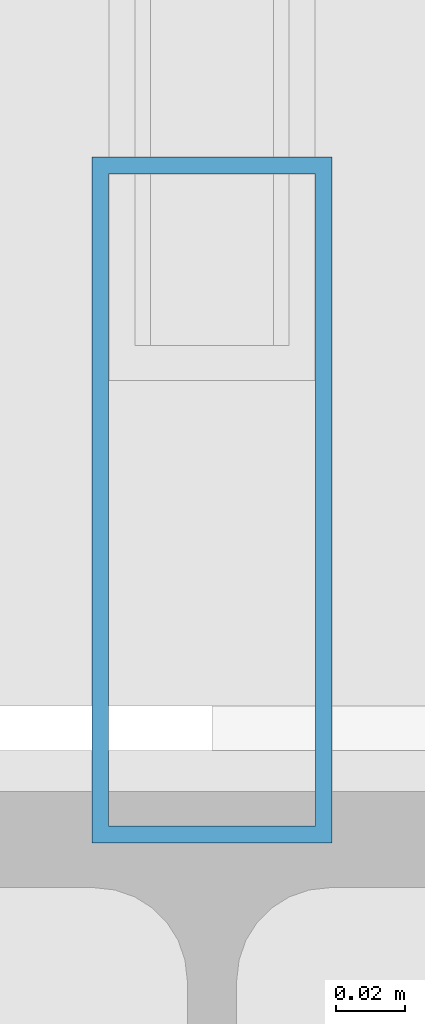
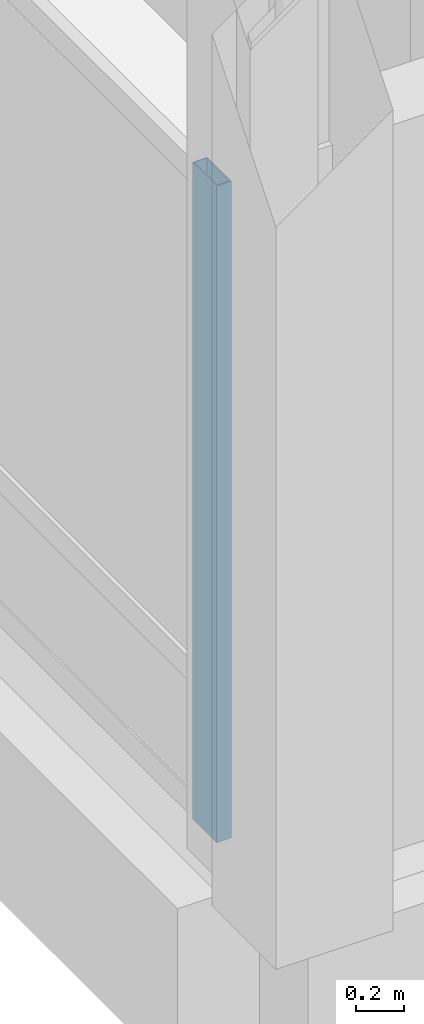
# One storey, part 49 of 193: 1 member, 1 element without a shape of its own.
"""IFC4 building model written with IfcOpenShell, lengths in metres."""

from ifc_helpers import new_model, si_unit, direction, frame, origin, origin_2d, place, context, subcontext, project, spatial, hollow_rectangle, extrude, material, material_profile, profile_set, type_object, element, aggregate, save


model = new_model("IFC4")

# Units and contexts
model_context = context("Model", 3, precision=1e-05, world=origin(), true_north=direction((0.0, 1.0)))
body_context = subcontext(model_context, "Body", "Model", "MODEL_VIEW")
ifc_project = project(units=[si_unit("LENGTHUNIT", "METRE"), si_unit("AREAUNIT", "SQUARE_METRE"), si_unit("VOLUMEUNIT", "CUBIC_METRE"), si_unit("PLANEANGLEUNIT", "RADIAN"), si_unit("MASSUNIT", "GRAM", prefix="KILO")], contexts=[model_context])

# Site, building, storey
site_placement = place(None, origin())
site = spatial("IfcSite", under=ifc_project, at=site_placement, CompositionType="ELEMENT")
building_placement = place(site_placement, origin())
building = spatial("IfcBuilding", under=site, at=building_placement, Name="Cendralis Lancet Convention Centre", CompositionType="ELEMENT")
storey_placement = place(building_placement, frame((0.0, 0.0, 10.199951171875)))
storey = spatial("IfcBuildingStorey", under=building, at=storey_placement, Name="L02", CompositionType="ELEMENT", Elevation=10.199951171875)

# Curtain wall, member
ifc_material = material(Name="Anodised bronze architectural aluminium", Category="aluminium")
curtain_wall_type = type_object("IfcCurtainWallType", Name="ARC-CW-BL01", PredefinedType="USERDEFINED", material=ifc_material)
curtain_wall_placement = place(storey_placement, origin())
curtain_wall = element("IfcCurtainWall", 1, at=curtain_wall_placement, inside=storey, type_object=curtain_wall_type, Name="L02 Curtain Wall CW-BL1 #157", ObjectType="CURTAIN WALL", PredefinedType="USERDEFINED")
ifc_material_profile = material_profile(ifc_material, hollow_rectangle(XDim=0.070068359375, YDim=0.199951171875, WallThickness=0.0048828125, at=origin_2d()), Name="AL-MULL 70x200x5.0")
ifc_profile_set = profile_set([ifc_material_profile], Name="Anodised bronze architectural aluminium")
member_type = type_object("IfcMemberType", Name="ARC-CW-ML02", PredefinedType="MULLION", material=ifc_profile_set)
member_placement = place(storey_placement, frame((124.800048828125, 93.93505859375, 0.0), z_axis=(0.0, 0.0, 1.0), x_axis=(1.0, 0.0, 0.0)))
member = element("IfcMember", 2, at=member_placement, type_object=member_type, Name="Mullion CW2-CW-BL1-L02-157-M0", PredefinedType="MULLION", context=body_context, shape_type="SweptSolid", body=[
    extrude(hollow_rectangle(XDim=0.070068359375, YDim=0.199951171875, WallThickness=0.0048828125, at=origin_2d()), origin(), (0.0, 0.0, 1.0), 3.324951171875),
])
aggregate(curtain_wall, [member])

save(model, "model.ifc")
